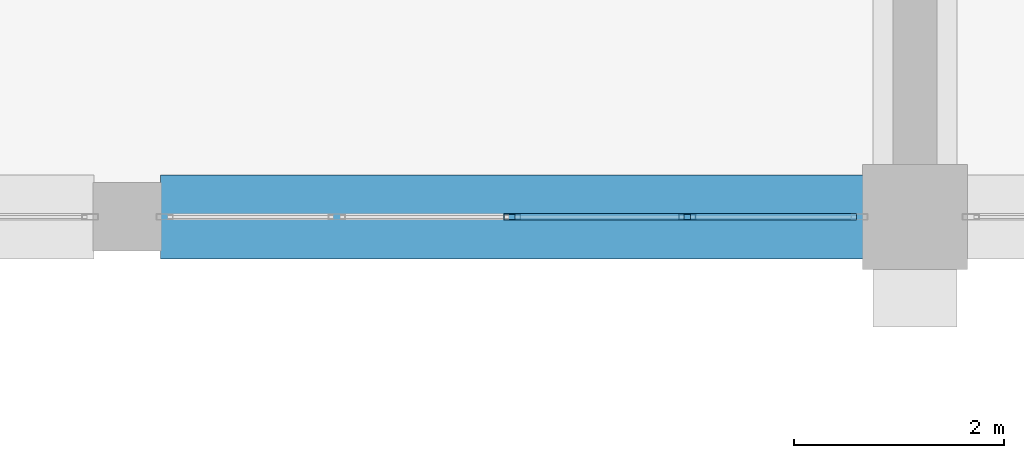
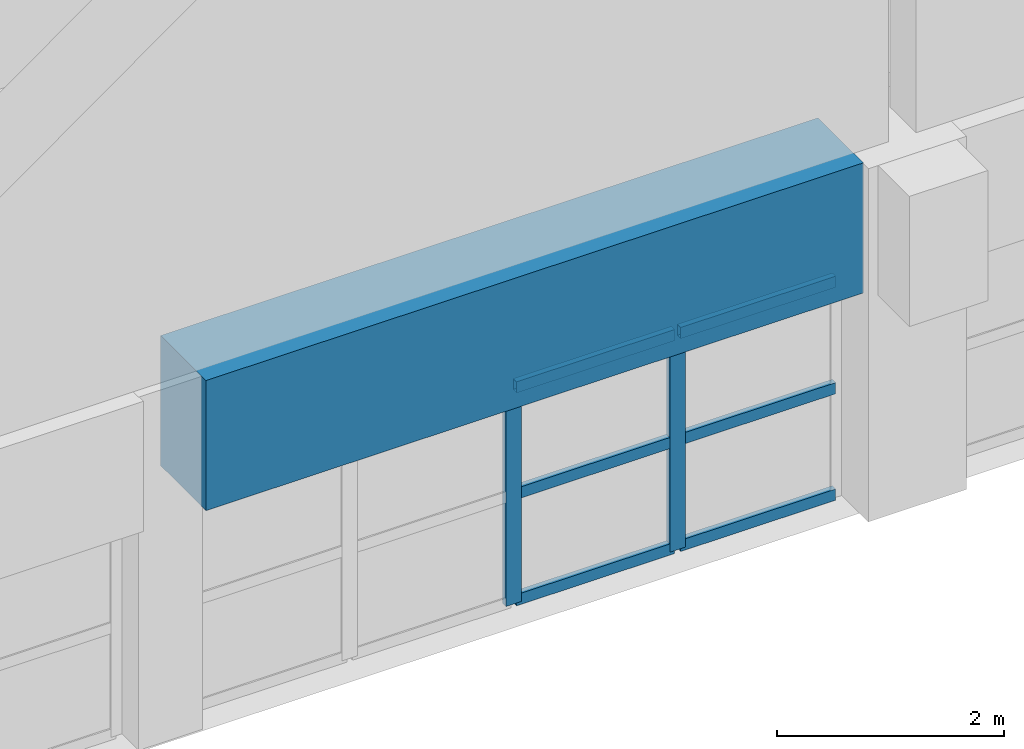
# One storey, part 20 of 74: 8 members, 1 beam, 1 element without a shape of its own.
"""IFC4 building model written with IfcOpenShell, lengths in metres."""

import ifcopenshell
import ifcopenshell.guid

model = None  # the IFC model being written
_history = None  # IfcOwnerHistory: only IFC2X3 demands one
_inside = {}  # id of a spatial element -> (the spatial element, [elements in it])
_under = {}  # id of a project, library or spatial element -> (it, [spatial elements below it])
_declared = {}  # id of a project -> (the project, [libraries it declares])
_typed = {}  # id of a type object -> (the type object, [elements of that type])
_made_of = {}  # id of a material, layer set ... -> (it, [elements and type objects made of it])


def new_model(schema):
    """Start an empty IFC model of exactly this schema.

    Asked for "IFC4X3", IfcOpenShell would pick the latest addendum, in which some entities
    have other attributes; the version numbers below select the first issue.
    IFC2X3 requires an IfcOwnerHistory on every rooted entity: one is made here for all.
    """
    global model, _history
    if schema == "IFC4X3":
        model = ifcopenshell.file(schema_version=(4, 3, 0, 0))
    else:
        model = ifcopenshell.file(schema=schema)
    _inside.clear()
    _under.clear()
    _declared.clear()
    _typed.clear()
    _made_of.clear()
    _history = None
    if model.schema == "IFC2X3":
        org = make("IfcOrganization", Name="unknown")
        user = make(
            "IfcPersonAndOrganization",
            ThePerson=make("IfcPerson", FamilyName="unknown"),
            TheOrganization=org,
        )
        app = make(
            "IfcApplication",
            ApplicationDeveloper=org,
            Version="unknown",
            ApplicationFullName="unknown",
            ApplicationIdentifier="unknown",
        )
        _history = make(
            "IfcOwnerHistory",
            OwningUser=user,
            OwningApplication=app,
            ChangeAction="ADDED",
            CreationDate=0,
        )
    return model


def make(cls, **values):
    """One entity of the class cls with the attributes given. An attribute that is None is left unset."""
    return model.create_entity(
        cls, **{name: value for name, value in values.items() if value is not None}
    )


def rooted(cls, **values):
    """An entity with a GlobalId (a new one), such as an element, a storey or a relation."""
    return make(cls, GlobalId=ifcopenshell.guid.new(), OwnerHistory=_history, **values)


def si_unit(unit_type, name, prefix=None):
    """IfcSIUnit, for example si_unit("LENGTHUNIT", "METRE", prefix="MILLI")."""
    return make("IfcSIUnit", UnitType=unit_type, Prefix=prefix, Name=name)


def assignment(units):
    """IfcUnitAssignment: the units of a project."""
    return None if units is None else make("IfcUnitAssignment", Units=units)


def point(xyz):
    """IfcCartesianPoint."""
    return None if xyz is None else make("IfcCartesianPoint", Coordinates=xyz)


def direction(xyz):
    """IfcDirection."""
    return None if xyz is None else make("IfcDirection", DirectionRatios=xyz)


def frame(location, z_axis=None, x_axis=None):
    """IfcAxis2Placement3D, a coordinate frame: its origin and axes. An axis left out is left unset."""
    return make(
        "IfcAxis2Placement3D",
        Location=point(location),
        Axis=direction(z_axis),
        RefDirection=direction(x_axis),
    )


def frame_2d(location, x_axis=None):
    """IfcAxis2Placement2D, a coordinate frame in the plane: its origin and x axis."""
    return make(
        "IfcAxis2Placement2D", Location=point(location), RefDirection=direction(x_axis)
    )


def origin():
    """The frame at (0, 0, 0) with its axes left unset."""
    return frame((0.0, 0.0, 0.0))


def origin_2d():
    """The frame at (0, 0) in the plane with its x axis left unset."""
    return frame_2d((0.0, 0.0))


def place(relative_to, where):
    """IfcLocalPlacement: puts the frame where relative to a parent placement (None: the world)."""
    return make(
        "IfcLocalPlacement", PlacementRelTo=relative_to, RelativePlacement=where
    )


def context(
    kind, dimensions, precision=None, world=None, true_north=None, identifier=None
):
    """IfcGeometricRepresentationContext, for example the 3D "Model" context."""
    return make(
        "IfcGeometricRepresentationContext",
        ContextIdentifier=identifier,
        ContextType=kind,
        CoordinateSpaceDimension=dimensions,
        Precision=precision,
        WorldCoordinateSystem=world,
        TrueNorth=true_north,
    )


def subcontext(parent, identifier, kind, view, scale=None):
    """IfcGeometricRepresentationSubContext, for example "Body" below "Model"."""
    return make(
        "IfcGeometricRepresentationSubContext",
        ContextIdentifier=identifier,
        ContextType=kind,
        ParentContext=parent,
        TargetScale=scale,
        TargetView=view,
    )


def project(units=None, contexts=None):
    """IfcProject with its units and contexts."""
    return rooted(
        "IfcProject",
        Name="project",
        RepresentationContexts=contexts,
        UnitsInContext=assignment(units),
    )


def spatial(cls, under=None, at=None, **own):
    """A site, building, storey or space (cls), placed at a placement, below another one or the project."""
    s = rooted(cls, ObjectPlacement=at, **own)
    if under is not None:
        _under.setdefault(under.id(), (under, []))[1].append(s)
    return s


def profile(cls, at=None, kind="AREA", **sizes):
    """A parametric profile (cls). Its sizes go by their IFC names, for example OverallWidth=200.0."""
    return make(cls, ProfileType=kind, Position=at, **sizes)


def rectangle(**sizes):
    """IfcRectangleProfileDef."""
    return profile("IfcRectangleProfileDef", **sizes)


def hollow_rectangle(**sizes):
    """IfcRectangleHollowProfileDef."""
    return profile("IfcRectangleHollowProfileDef", **sizes)


def extrude(swept, where, along, depth):
    """IfcExtrudedAreaSolid: the profile swept, set in the frame where, extruded along a direction by depth."""
    return make(
        "IfcExtrudedAreaSolid",
        SweptArea=swept,
        Position=where,
        ExtrudedDirection=direction(along),
        Depth=depth,
    )


def shape(context_of_items, identifier, shape_type, items):
    """IfcShapeRepresentation: the items that make up one representation, for example the "Body"."""
    return make(
        "IfcShapeRepresentation",
        ContextOfItems=context_of_items,
        RepresentationIdentifier=identifier,
        RepresentationType=shape_type,
        Items=items,
    )


def material(Name=None, Category=None):
    """IfcMaterial."""
    return make("IfcMaterial", Name=Name, Category=Category)


def layer(
    of_material, thickness, ventilated=None, Name=None, Category=None, Priority=None
):
    """IfcMaterialLayer: one layer of a wall or slab, of a material (None: an air gap)."""
    return make(
        "IfcMaterialLayer",
        Material=of_material,
        LayerThickness=thickness,
        IsVentilated=ventilated,
        Name=Name,
        Category=Category,
        Priority=Priority,
    )


def layer_set(layers, Name=None):
    """IfcMaterialLayerSet."""
    return make("IfcMaterialLayerSet", MaterialLayers=layers, LayerSetName=Name)


def material_profile(
    of_material, cross_section, Name=None, Category=None, Priority=None
):
    """IfcMaterialProfile: a cross section and its material."""
    return make(
        "IfcMaterialProfile",
        Name=Name,
        Material=of_material,
        Profile=cross_section,
        Priority=Priority,
        Category=Category,
    )


def profile_set(profiles, Name=None, composite=None):
    """IfcMaterialProfileSet."""
    return make(
        "IfcMaterialProfileSet",
        Name=Name,
        MaterialProfiles=profiles,
        CompositeProfile=composite,
    )


def made_of(thing, what):
    """Note that an element or type object is made of a material, layer set ...; save() writes the relation."""
    if what is not None:
        _made_of.setdefault(what.id(), (what, []))[1].append(thing)
    return thing


def type_object(cls, material=None, **own):
    """A type object (cls), such as IfcWallType, which elements share."""
    return made_of(rooted(cls, **own), material)


def element(
    cls,
    number,
    at=None,
    inside=None,
    cuts=None,
    type_object=None,
    material=None,
    context=None,
    identifier="Body",
    shape_type=None,
    held_by="IfcProductDefinitionShape",
    body=None,
    shapes=None,
    **own,
):
    """One element of the class cls, such as IfcWall. Its Tag is "e" and its number.

    at: its placement. inside: the storey or other place that contains it. cuts: it is an
    opening in that element (IfcRelVoidsElement). A single representation is given by context,
    identifier, shape_type and body (its items); several are given by shapes. held_by: the class
    of the entity that holds the representations. save() writes the other relations.
    """
    e = rooted(cls, Tag="e%d" % number, ObjectPlacement=at, **own)
    if body is not None:
        shapes = [shape(context, identifier, shape_type, body)]
    if shapes is not None:
        e.Representation = make(held_by, Representations=shapes)
    if inside is not None:
        _inside.setdefault(inside.id(), (inside, []))[1].append(e)
    if cuts is not None:
        rooted(
            "IfcRelVoidsElement", RelatingBuildingElement=cuts, RelatedOpeningElement=e
        )
    if type_object is not None:
        _typed.setdefault(type_object.id(), (type_object, []))[1].append(e)
    return made_of(e, material)


def aggregate(whole, parts):
    """IfcRelAggregates: a whole, such as a stair, and the parts it consists of."""
    return rooted("IfcRelAggregates", RelatingObject=whole, RelatedObjects=parts)


def save(model, path):
    """Write the relations noted so far, then the file.

    IfcRelAggregates (storeys below a building ...), IfcRelContainedInSpatialStructure (elements
    in a storey), IfcRelDefinesByType, IfcRelAssociatesMaterial and IfcRelDeclares: one each for
    every whole, place, type object, material and project.
    """
    for whole, parts in _under.values():
        aggregate(whole, parts)
    for where, things in _inside.values():
        rooted(
            "IfcRelContainedInSpatialStructure",
            RelatedElements=things,
            RelatingStructure=where,
        )
    for kind, things in _typed.values():
        rooted("IfcRelDefinesByType", RelatedObjects=things, RelatingType=kind)
    for what, things in _made_of.values():
        rooted("IfcRelAssociatesMaterial", RelatedObjects=things, RelatingMaterial=what)
    for by, libraries in _declared.values():
        rooted("IfcRelDeclares", RelatingContext=by, RelatedDefinitions=libraries)
    model.write(path)


model = new_model("IFC4")

# Units and contexts
model_context = context("Model", 3, precision=1e-05, world=origin(), true_north=direction((0.0, 1.0)))
body_context = subcontext(model_context, "Body", "Model", "MODEL_VIEW")
ifc_project = project(units=[si_unit("LENGTHUNIT", "METRE"), si_unit("AREAUNIT", "SQUARE_METRE"), si_unit("VOLUMEUNIT", "CUBIC_METRE"), si_unit("PLANEANGLEUNIT", "RADIAN"), si_unit("MASSUNIT", "GRAM", prefix="KILO")], contexts=[model_context])

# Site, building, storey
site_placement = place(None, origin())
site = spatial("IfcSite", under=ifc_project, at=site_placement, CompositionType="ELEMENT")
building_placement = place(site_placement, origin())
building = spatial("IfcBuilding", under=site, at=building_placement, Name="Muzn Square Opera House", CompositionType="ELEMENT")
storey_placement = place(building_placement, frame((0.0, 0.0, 14.199951171875)))
storey = spatial("IfcBuildingStorey", under=building, at=storey_placement, Name="L03", CompositionType="ELEMENT", Elevation=14.199951171875)

# Curtain wall, members
ifc_material_1 = material(Name="Low-E laminated acoustic double glazing", Category="glass")
ifc_layer = layer(ifc_material_1, 0.159912109375, Name="Low-E laminated acoustic double glazing", Category="glass")
ifc_layer_set = layer_set([ifc_layer], Name="Low-E laminated acoustic double glazing")
curtain_wall_type = type_object("IfcCurtainWallType", Name="Glazed Curtain Wall Forecourt 6675x2350", PredefinedType="USERDEFINED", material=ifc_layer_set)
curtain_wall_placement = place(storey_placement, origin())
curtain_wall = element("IfcCurtainWall", 1, at=curtain_wall_placement, inside=storey, type_object=curtain_wall_type, Name="Glazed Curtain Wall CW-L03-025", ObjectType="GLAZED CURTAIN WALL", PredefinedType="USERDEFINED")
ifc_material_2 = material(Name="Anodised bronze aluminium 6063-T6", Category="metal")
ifc_material_profile_1 = material_profile(ifc_material_2, hollow_rectangle(XDim=0.06005859375, YDim=0.159912109375, WallThickness=0.00390625, at=origin_2d()), Name="ALU 160x60x4", Category="metal")
ifc_profile_set_1 = profile_set([ifc_material_profile_1], Name="Anodised bronze aluminium 6063-T6")
member_type_1 = type_object("IfcMemberType", Name="Curtain Wall Mullion 160x60", PredefinedType="MULLION", material=ifc_profile_set_1)
member_1_placement = place(storey_placement, frame((99.16259765625, 22.0, 0.0), z_axis=(0.0, 0.0, 1.0), x_axis=(0.0, 1.0, 0.0)))
member_1 = element("IfcMember", 2, at=member_1_placement, type_object=member_type_1, Name="CW-FC-66x23 mullion 3", PredefinedType="MULLION", context=body_context, shape_type="SweptSolid", body=[
    extrude(hollow_rectangle(XDim=0.06005859375, YDim=0.159912109375, WallThickness=0.00390625, at=origin_2d()), origin(), (0.0, 0.0, 1.0), 2.35009765625),
])
member_2_placement = place(storey_placement, frame((100.831298828125, 22.0, 0.0), z_axis=(0.0, 0.0, 1.0), x_axis=(0.0, 1.0, 0.0)))
member_2 = element("IfcMember", 3, at=member_2_placement, type_object=member_type_1, Name="CW-FC-66x23 mullion 4", PredefinedType="MULLION", context=body_context, shape_type="SweptSolid", body=[
    extrude(hollow_rectangle(XDim=0.06005859375, YDim=0.159912109375, WallThickness=0.00390625, at=origin_2d()), origin(), (0.0, 0.0, 1.0), 2.35009765625),
])
ifc_material_profile_2 = material_profile(ifc_material_2, hollow_rectangle(XDim=0.06005859375, YDim=0.1201171875, WallThickness=0.00390625, at=origin_2d()), Name="ALU 120x60x4", Category="metal")
ifc_profile_set_2 = profile_set([ifc_material_profile_2], Name="Anodised bronze aluminium 6063-T6")
member_type_2 = type_object("IfcMemberType", Name="Curtain Wall Transom 120x60", PredefinedType="USERDEFINED", material=ifc_profile_set_2)
member_3_placement = place(storey_placement, frame((99.1923828125, 22.0, 0.030029296875), z_axis=(1.0, 0.0, 0.0), x_axis=(0.0, 1.0, 0.0)))
member_3 = element("IfcMember", 4, at=member_3_placement, type_object=member_type_2, Name="CW-FC-66x23 transom 3.1", ObjectType="TRANSOM", PredefinedType="USERDEFINED", context=body_context, shape_type="SweptSolid", body=[
    extrude(hollow_rectangle(XDim=0.06005859375, YDim=0.1201171875, WallThickness=0.00390625, at=origin_2d()), origin(), (0.0, 0.0, 1.0), 1.60888671875),
])
member_4_placement = place(storey_placement, frame((99.1923828125, 22.0, 1.175048828125), z_axis=(1.0, 0.0, 0.0), x_axis=(0.0, 1.0, 0.0)))
member_4 = element("IfcMember", 5, at=member_4_placement, type_object=member_type_2, Name="CW-FC-66x23 transom 3.2", ObjectType="TRANSOM", PredefinedType="USERDEFINED", context=body_context, shape_type="SweptSolid", body=[
    extrude(hollow_rectangle(XDim=0.06005859375, YDim=0.1201171875, WallThickness=0.00390625, at=origin_2d()), origin(), (0.0, 0.0, 1.0), 1.60888671875),
])
member_5_placement = place(storey_placement, frame((99.1923828125, 22.0, 2.320068359375), z_axis=(1.0, 0.0, 0.0), x_axis=(0.0, 1.0, 0.0)))
member_5 = element("IfcMember", 6, at=member_5_placement, type_object=member_type_2, Name="CW-FC-66x23 transom 3.3", ObjectType="TRANSOM", PredefinedType="USERDEFINED", context=body_context, shape_type="SweptSolid", body=[
    extrude(hollow_rectangle(XDim=0.06005859375, YDim=0.1201171875, WallThickness=0.00390625, at=origin_2d()), origin(), (0.0, 0.0, 1.0), 1.60888671875),
])
member_6_placement = place(storey_placement, frame((100.861328125, 22.0, 0.030029296875), z_axis=(1.0, 0.0, 0.0), x_axis=(0.0, 1.0, 0.0)))
member_6 = element("IfcMember", 7, at=member_6_placement, type_object=member_type_2, Name="CW-FC-66x23 transom 4.1", ObjectType="TRANSOM", PredefinedType="USERDEFINED", context=body_context, shape_type="SweptSolid", body=[
    extrude(hollow_rectangle(XDim=0.06005859375, YDim=0.1201171875, WallThickness=0.00390625, at=origin_2d()), origin(), (0.0, 0.0, 1.0), 1.57861328125),
])
member_7_placement = place(storey_placement, frame((100.861328125, 22.0, 1.175048828125), z_axis=(1.0, 0.0, 0.0), x_axis=(0.0, 1.0, 0.0)))
member_7 = element("IfcMember", 8, at=member_7_placement, type_object=member_type_2, Name="CW-FC-66x23 transom 4.2", ObjectType="TRANSOM", PredefinedType="USERDEFINED", context=body_context, shape_type="SweptSolid", body=[
    extrude(hollow_rectangle(XDim=0.06005859375, YDim=0.1201171875, WallThickness=0.00390625, at=origin_2d()), origin(), (0.0, 0.0, 1.0), 1.57861328125),
])
member_8_placement = place(storey_placement, frame((100.861328125, 22.0, 2.320068359375), z_axis=(1.0, 0.0, 0.0), x_axis=(0.0, 1.0, 0.0)))
member_8 = element("IfcMember", 9, at=member_8_placement, type_object=member_type_2, Name="CW-FC-66x23 transom 4.3", ObjectType="TRANSOM", PredefinedType="USERDEFINED", context=body_context, shape_type="SweptSolid", body=[
    extrude(hollow_rectangle(XDim=0.06005859375, YDim=0.1201171875, WallThickness=0.00390625, at=origin_2d()), origin(), (0.0, 0.0, 1.0), 1.57861328125),
])
aggregate(curtain_wall, [member_1, member_2, member_3, member_4, member_5, member_6, member_7, member_8])

# Beam
ifc_material_3 = material(Name="Concrete C45/55", Category="concrete")
ifc_material_profile_3 = material_profile(ifc_material_3, rectangle(XDim=0.800048828125, YDim=1.39990234375, at=origin_2d()), Name="RCB 800x1400", Category="concrete")
ifc_profile_set_3 = profile_set([ifc_material_profile_3], Name="Concrete C45/55")
beam_type = type_object("IfcBeamType", Name="Vault Springing Girder 800x1400", PredefinedType="BEAM", material=ifc_profile_set_3)
beam_placement = place(storey_placement, frame((95.81689453125, 22.0, 3.10009765625), z_axis=(1.0, 0.0, 0.0), x_axis=(0.0, 1.0, 0.0)))
element("IfcBeam", 10, at=beam_placement, inside=storey, type_object=beam_type, Name="Gable Support Girder BM-L03-BM-VS1400-958_220_1025_220-2414", PredefinedType="BEAM", context=body_context, shape_type="SweptSolid", body=[
    extrude(rectangle(XDim=0.800048828125, YDim=1.39990234375, at=origin_2d()), origin(), (0.0, 0.0, 1.0), 6.691162109375),
])

save(model, "model.ifc")
